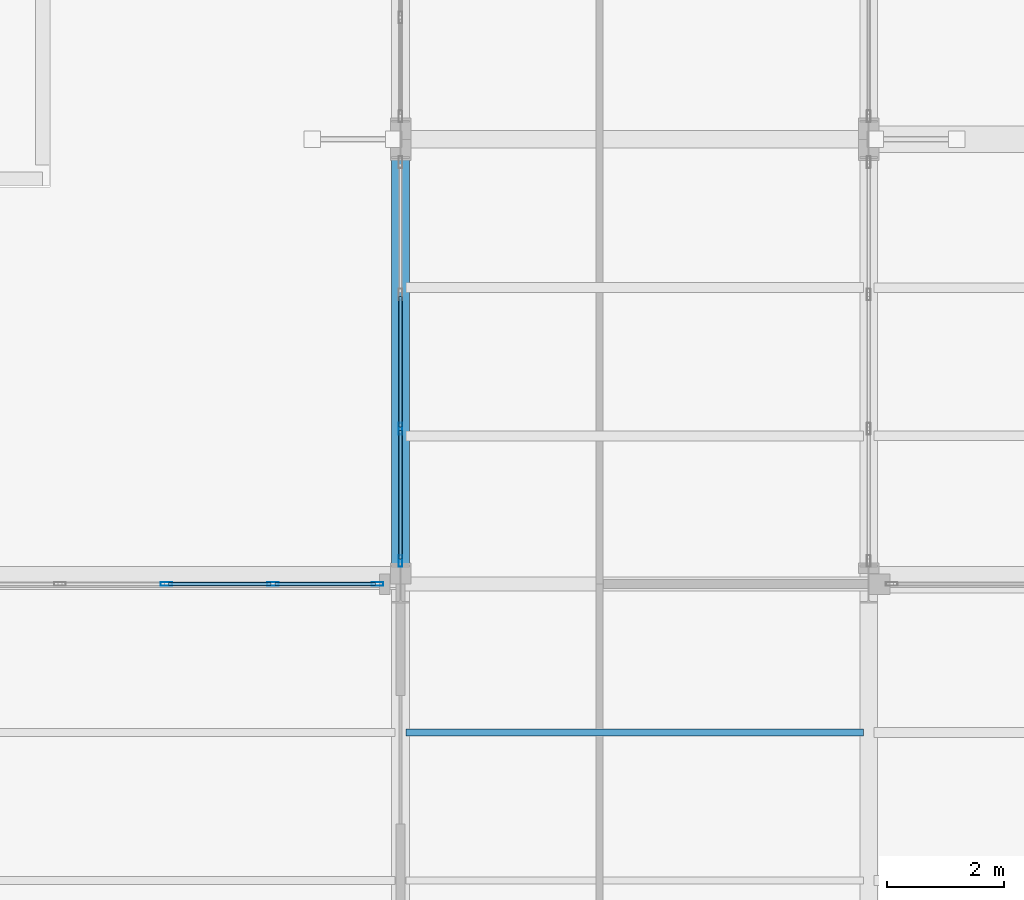
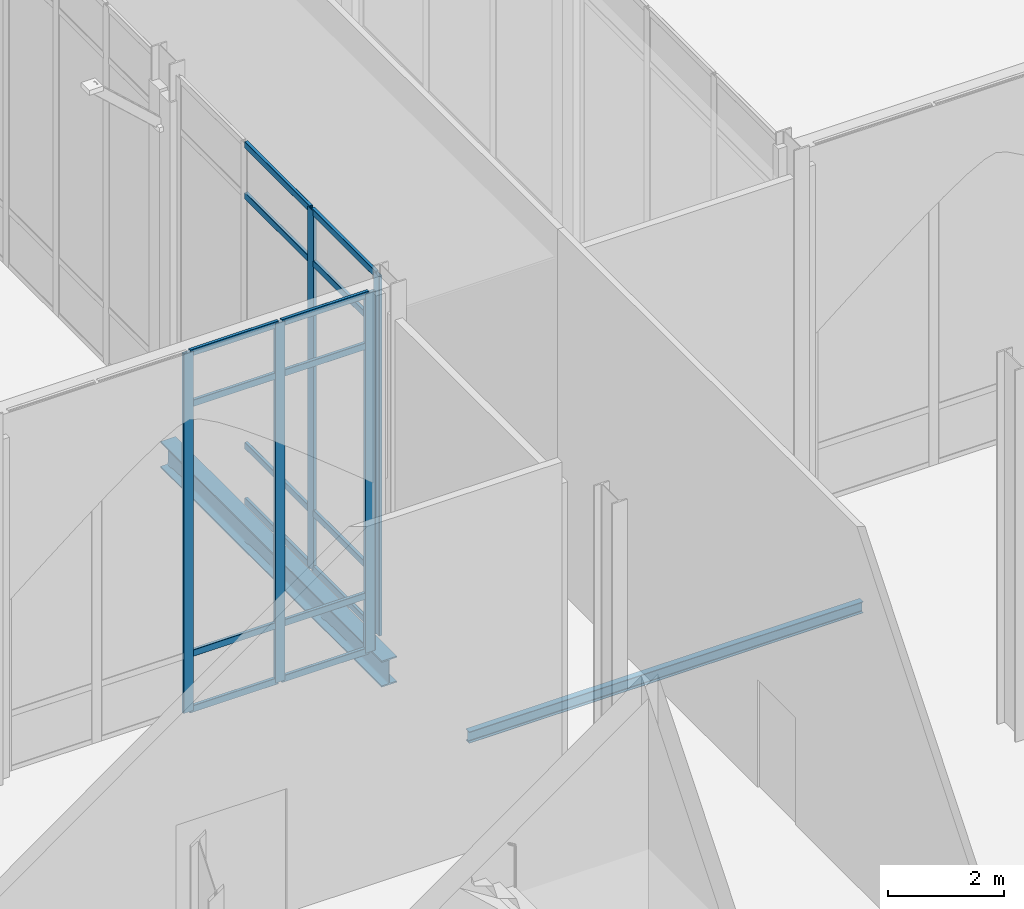
# One storey, part 32 of 176: 21 members, 2 beams, 2 elements without a shape of their own.
"""IFC4 building model written with IfcOpenShell, lengths in metres."""

import ifcopenshell
import ifcopenshell.guid

model = None  # the IFC model being written
_history = None  # IfcOwnerHistory: only IFC2X3 demands one
_inside = {}  # id of a spatial element -> (the spatial element, [elements in it])
_under = {}  # id of a project, library or spatial element -> (it, [spatial elements below it])
_declared = {}  # id of a project -> (the project, [libraries it declares])
_typed = {}  # id of a type object -> (the type object, [elements of that type])
_made_of = {}  # id of a material, layer set ... -> (it, [elements and type objects made of it])


def new_model(schema):
    """Start an empty IFC model of exactly this schema.

    Asked for "IFC4X3", IfcOpenShell would pick the latest addendum, in which some entities
    have other attributes; the version numbers below select the first issue.
    IFC2X3 requires an IfcOwnerHistory on every rooted entity: one is made here for all.
    """
    global model, _history
    if schema == "IFC4X3":
        model = ifcopenshell.file(schema_version=(4, 3, 0, 0))
    else:
        model = ifcopenshell.file(schema=schema)
    _inside.clear()
    _under.clear()
    _declared.clear()
    _typed.clear()
    _made_of.clear()
    _history = None
    if model.schema == "IFC2X3":
        org = make("IfcOrganization", Name="unknown")
        user = make(
            "IfcPersonAndOrganization",
            ThePerson=make("IfcPerson", FamilyName="unknown"),
            TheOrganization=org,
        )
        app = make(
            "IfcApplication",
            ApplicationDeveloper=org,
            Version="unknown",
            ApplicationFullName="unknown",
            ApplicationIdentifier="unknown",
        )
        _history = make(
            "IfcOwnerHistory",
            OwningUser=user,
            OwningApplication=app,
            ChangeAction="ADDED",
            CreationDate=0,
        )
    return model


def make(cls, **values):
    """One entity of the class cls with the attributes given. An attribute that is None is left unset."""
    return model.create_entity(
        cls, **{name: value for name, value in values.items() if value is not None}
    )


def rooted(cls, **values):
    """An entity with a GlobalId (a new one), such as an element, a storey or a relation."""
    return make(cls, GlobalId=ifcopenshell.guid.new(), OwnerHistory=_history, **values)


def si_unit(unit_type, name, prefix=None):
    """IfcSIUnit, for example si_unit("LENGTHUNIT", "METRE", prefix="MILLI")."""
    return make("IfcSIUnit", UnitType=unit_type, Prefix=prefix, Name=name)


def assignment(units):
    """IfcUnitAssignment: the units of a project."""
    return None if units is None else make("IfcUnitAssignment", Units=units)


def point(xyz):
    """IfcCartesianPoint."""
    return None if xyz is None else make("IfcCartesianPoint", Coordinates=xyz)


def direction(xyz):
    """IfcDirection."""
    return None if xyz is None else make("IfcDirection", DirectionRatios=xyz)


def frame(location, z_axis=None, x_axis=None):
    """IfcAxis2Placement3D, a coordinate frame: its origin and axes. An axis left out is left unset."""
    return make(
        "IfcAxis2Placement3D",
        Location=point(location),
        Axis=direction(z_axis),
        RefDirection=direction(x_axis),
    )


def frame_2d(location, x_axis=None):
    """IfcAxis2Placement2D, a coordinate frame in the plane: its origin and x axis."""
    return make(
        "IfcAxis2Placement2D", Location=point(location), RefDirection=direction(x_axis)
    )


def origin():
    """The frame at (0, 0, 0) with its axes left unset."""
    return frame((0.0, 0.0, 0.0))


def origin_2d():
    """The frame at (0, 0) in the plane with its x axis left unset."""
    return frame_2d((0.0, 0.0))


def place(relative_to, where):
    """IfcLocalPlacement: puts the frame where relative to a parent placement (None: the world)."""
    return make(
        "IfcLocalPlacement", PlacementRelTo=relative_to, RelativePlacement=where
    )


def context(
    kind, dimensions, precision=None, world=None, true_north=None, identifier=None
):
    """IfcGeometricRepresentationContext, for example the 3D "Model" context."""
    return make(
        "IfcGeometricRepresentationContext",
        ContextIdentifier=identifier,
        ContextType=kind,
        CoordinateSpaceDimension=dimensions,
        Precision=precision,
        WorldCoordinateSystem=world,
        TrueNorth=true_north,
    )


def subcontext(parent, identifier, kind, view, scale=None):
    """IfcGeometricRepresentationSubContext, for example "Body" below "Model"."""
    return make(
        "IfcGeometricRepresentationSubContext",
        ContextIdentifier=identifier,
        ContextType=kind,
        ParentContext=parent,
        TargetScale=scale,
        TargetView=view,
    )


def project(units=None, contexts=None):
    """IfcProject with its units and contexts."""
    return rooted(
        "IfcProject",
        Name="project",
        RepresentationContexts=contexts,
        UnitsInContext=assignment(units),
    )


def spatial(cls, under=None, at=None, **own):
    """A site, building, storey or space (cls), placed at a placement, below another one or the project."""
    s = rooted(cls, ObjectPlacement=at, **own)
    if under is not None:
        _under.setdefault(under.id(), (under, []))[1].append(s)
    return s


def profile(cls, at=None, kind="AREA", **sizes):
    """A parametric profile (cls). Its sizes go by their IFC names, for example OverallWidth=200.0."""
    return make(cls, ProfileType=kind, Position=at, **sizes)


def hollow_rectangle(**sizes):
    """IfcRectangleHollowProfileDef."""
    return profile("IfcRectangleHollowProfileDef", **sizes)


def i_section(**sizes):
    """IfcIShapeProfileDef."""
    return profile("IfcIShapeProfileDef", **sizes)


def extrude(swept, where, along, depth):
    """IfcExtrudedAreaSolid: the profile swept, set in the frame where, extruded along a direction by depth."""
    return make(
        "IfcExtrudedAreaSolid",
        SweptArea=swept,
        Position=where,
        ExtrudedDirection=direction(along),
        Depth=depth,
    )


def shape(context_of_items, identifier, shape_type, items):
    """IfcShapeRepresentation: the items that make up one representation, for example the "Body"."""
    return make(
        "IfcShapeRepresentation",
        ContextOfItems=context_of_items,
        RepresentationIdentifier=identifier,
        RepresentationType=shape_type,
        Items=items,
    )


def material(Name=None, Category=None):
    """IfcMaterial."""
    return make("IfcMaterial", Name=Name, Category=Category)


def layer(
    of_material, thickness, ventilated=None, Name=None, Category=None, Priority=None
):
    """IfcMaterialLayer: one layer of a wall or slab, of a material (None: an air gap)."""
    return make(
        "IfcMaterialLayer",
        Material=of_material,
        LayerThickness=thickness,
        IsVentilated=ventilated,
        Name=Name,
        Category=Category,
        Priority=Priority,
    )


def layer_set(layers, Name=None):
    """IfcMaterialLayerSet."""
    return make("IfcMaterialLayerSet", MaterialLayers=layers, LayerSetName=Name)


def material_profile(
    of_material, cross_section, Name=None, Category=None, Priority=None
):
    """IfcMaterialProfile: a cross section and its material."""
    return make(
        "IfcMaterialProfile",
        Name=Name,
        Material=of_material,
        Profile=cross_section,
        Priority=Priority,
        Category=Category,
    )


def profile_set(profiles, Name=None, composite=None):
    """IfcMaterialProfileSet."""
    return make(
        "IfcMaterialProfileSet",
        Name=Name,
        MaterialProfiles=profiles,
        CompositeProfile=composite,
    )


def made_of(thing, what):
    """Note that an element or type object is made of a material, layer set ...; save() writes the relation."""
    if what is not None:
        _made_of.setdefault(what.id(), (what, []))[1].append(thing)
    return thing


def type_object(cls, material=None, **own):
    """A type object (cls), such as IfcWallType, which elements share."""
    return made_of(rooted(cls, **own), material)


def element(
    cls,
    number,
    at=None,
    inside=None,
    cuts=None,
    type_object=None,
    material=None,
    context=None,
    identifier="Body",
    shape_type=None,
    held_by="IfcProductDefinitionShape",
    body=None,
    shapes=None,
    **own,
):
    """One element of the class cls, such as IfcWall. Its Tag is "e" and its number.

    at: its placement. inside: the storey or other place that contains it. cuts: it is an
    opening in that element (IfcRelVoidsElement). A single representation is given by context,
    identifier, shape_type and body (its items); several are given by shapes. held_by: the class
    of the entity that holds the representations. save() writes the other relations.
    """
    e = rooted(cls, Tag="e%d" % number, ObjectPlacement=at, **own)
    if body is not None:
        shapes = [shape(context, identifier, shape_type, body)]
    if shapes is not None:
        e.Representation = make(held_by, Representations=shapes)
    if inside is not None:
        _inside.setdefault(inside.id(), (inside, []))[1].append(e)
    if cuts is not None:
        rooted(
            "IfcRelVoidsElement", RelatingBuildingElement=cuts, RelatedOpeningElement=e
        )
    if type_object is not None:
        _typed.setdefault(type_object.id(), (type_object, []))[1].append(e)
    return made_of(e, material)


def aggregate(whole, parts):
    """IfcRelAggregates: a whole, such as a stair, and the parts it consists of."""
    return rooted("IfcRelAggregates", RelatingObject=whole, RelatedObjects=parts)


def save(model, path):
    """Write the relations noted so far, then the file.

    IfcRelAggregates (storeys below a building ...), IfcRelContainedInSpatialStructure (elements
    in a storey), IfcRelDefinesByType, IfcRelAssociatesMaterial and IfcRelDeclares: one each for
    every whole, place, type object, material and project.
    """
    for whole, parts in _under.values():
        aggregate(whole, parts)
    for where, things in _inside.values():
        rooted(
            "IfcRelContainedInSpatialStructure",
            RelatedElements=things,
            RelatingStructure=where,
        )
    for kind, things in _typed.values():
        rooted("IfcRelDefinesByType", RelatedObjects=things, RelatingType=kind)
    for what, things in _made_of.values():
        rooted("IfcRelAssociatesMaterial", RelatedObjects=things, RelatingMaterial=what)
    for by, libraries in _declared.values():
        rooted("IfcRelDeclares", RelatingContext=by, RelatedDefinitions=libraries)
    model.write(path)


model = new_model("IFC4")

# Units and contexts
model_context = context("Model", 3, precision=1e-05, world=origin(), true_north=direction((0.0, 1.0)))
body_context = subcontext(model_context, "Body", "Model", "MODEL_VIEW")
ifc_project = project(units=[si_unit("LENGTHUNIT", "METRE"), si_unit("AREAUNIT", "SQUARE_METRE"), si_unit("VOLUMEUNIT", "CUBIC_METRE"), si_unit("PLANEANGLEUNIT", "RADIAN"), si_unit("MASSUNIT", "GRAM", prefix="KILO")], contexts=[model_context])

# Site, building, storey
site_placement = place(None, origin())
site = spatial("IfcSite", under=ifc_project, at=site_placement, CompositionType="ELEMENT")
building_placement = place(site_placement, origin())
building = spatial("IfcBuilding", under=site, at=building_placement, Name="Vekula Escarpment Museum", CompositionType="ELEMENT")
storey_placement = place(building_placement, origin())
storey = spatial("IfcBuildingStorey", under=building, at=storey_placement, Name="L01", CompositionType="ELEMENT", Elevation=0.0)

# Beams
ifc_material_1 = material(Name="Steel S355", Category="steel")
ifc_material_profile_1 = material_profile(ifc_material_1, i_section(OverallWidth=0.300048828125, OverallDepth=0.550048828125, WebThickness=0.014892578125, FlangeThickness=0.029052734375, FilletRadius=0.027099609375, at=origin_2d()), Name="HEB 550")
ifc_profile_set_1 = profile_set([ifc_material_profile_1], Name="Steel S355")
beam_type_1 = type_object("IfcBeamType", Name="BM-GIRD-HEB550", PredefinedType="BEAM", material=ifc_profile_set_1)
beam_1_placement = place(storey_placement, frame((94.0, 15.199951171875, -0.574951171875), z_axis=(0.0, 1.0, 0.0), x_axis=(-1.0, 0.0, 0.0)))
element("IfcBeam", 1, at=beam_1_placement, inside=storey, type_object=beam_type_1, Name="Beam Y L01 0578", PredefinedType="BEAM", context=body_context, shape_type="SweptSolid", body=[
    extrude(i_section(OverallWidth=0.300048828125, OverallDepth=0.550048828125, WebThickness=0.014892578125, FlangeThickness=0.029052734375, FilletRadius=0.027099609375, at=origin_2d()), origin(), (0.0, 0.0, 1.0), 7.60009765625),
])
ifc_material_2 = material(Name="Steel S355", Category="steel")
ifc_material_profile_2 = material_profile(ifc_material_2, i_section(OverallWidth=0.1201171875, OverallDepth=0.239990234375, WebThickness=0.006103515625, FlangeThickness=0.009765625, FilletRadius=0.014892578125, at=origin_2d()), Name="IPE 240")
ifc_profile_set_2 = profile_set([ifc_material_profile_2], Name="Steel S355")
beam_type_2 = type_object("IfcBeamType", Name="BM-JST-IPE240", PredefinedType="JOIST", material=ifc_profile_set_2)
beam_2_placement = place(storey_placement, frame((94.090087890625, 12.666748046875, -0.419921875), z_axis=(1.0, 0.0, 0.0), x_axis=(0.0, 1.0, 0.0)))
element("IfcBeam", 2, at=beam_2_placement, inside=storey, type_object=beam_type_2, Name="Secondary Joist L01 0291", PredefinedType="JOIST", context=body_context, shape_type="SweptSolid", body=[
    extrude(i_section(OverallWidth=0.1201171875, OverallDepth=0.239990234375, WebThickness=0.006103515625, FlangeThickness=0.009765625, FilletRadius=0.014892578125, at=origin_2d()), origin(), (0.0, 0.0, 1.0), 7.81982421875),
])

# Curtain wall, members
ifc_material_3 = material(Name="Aluminium thermally broken framing", Category="aluminium")
ifc_layer_1 = layer(ifc_material_3, 0.169921875)
ifc_layer_set_1 = layer_set([ifc_layer_1], Name="Aluminium thermally broken framing")
curtain_wall_type_1 = type_object("IfcCurtainWallType", Name="CW-SYS-10", PredefinedType="NOTDEFINED", material=ifc_layer_set_1)
curtain_wall_1_placement = place(storey_placement, origin())
curtain_wall_1 = element("IfcCurtainWall", 3, at=curtain_wall_1_placement, inside=storey, type_object=curtain_wall_type_1, Name="Curtain Wall CW-L01-050", PredefinedType="NOTDEFINED")
ifc_material_4 = material(Name="Aluminium anodized mullion", Category="aluminium")
ifc_material_profile_3 = material_profile(ifc_material_4, hollow_rectangle(XDim=0.06494140625, YDim=0.199951171875, WallThickness=0.00390625, InnerFilletRadius=0.00390625, OuterFilletRadius=0.008056640625, at=origin_2d()), Name="ALU 200x65x4")
ifc_profile_set_3 = profile_set([ifc_material_profile_3], Name="Aluminium anodized mullion")
member_type_1 = type_object("IfcMemberType", Name="CW-MUL-200", PredefinedType="MULLION", material=ifc_profile_set_3)
member_1_placement = place(storey_placement, frame((94.0, 17.853271484375, 0.0), z_axis=(0.0, 0.0, 1.0), x_axis=(1.0, 0.0, 0.0)))
member_1 = element("IfcMember", 4, at=member_1_placement, type_object=member_type_1, Name="CW-10 mullion 3", PredefinedType="MULLION", context=body_context, shape_type="SweptSolid", body=[
    extrude(hollow_rectangle(XDim=0.06494140625, YDim=0.199951171875, WallThickness=0.00390625, InnerFilletRadius=0.00390625, OuterFilletRadius=0.008056640625, at=origin_2d()), origin(), (0.0, 0.0, 1.0), 7.5400390625),
])
member_2_placement = place(storey_placement, frame((94.0, 15.592529296875, 0.0), z_axis=(0.0, 0.0, 1.0), x_axis=(1.0, 0.0, 0.0)))
member_2 = element("IfcMember", 5, at=member_2_placement, type_object=member_type_1, Name="CW-10 mullion 4", PredefinedType="MULLION", context=body_context, shape_type="SweptSolid", body=[
    extrude(hollow_rectangle(XDim=0.06494140625, YDim=0.199951171875, WallThickness=0.00390625, InnerFilletRadius=0.00390625, OuterFilletRadius=0.008056640625, at=origin_2d()), origin(), (0.0, 0.0, 1.0), 7.5400390625),
])

ifc_material_5 = material(Name="Aluminium thermally broken framing", Category="aluminium")
ifc_layer_2 = layer(ifc_material_5, 0.159912109375)
ifc_layer_set_2 = layer_set([ifc_layer_2], Name="Aluminium thermally broken framing")
curtain_wall_type_2 = type_object("IfcCurtainWallType", Name="CW-SYS-01", PredefinedType="NOTDEFINED", material=ifc_layer_set_2)
curtain_wall_2_placement = place(storey_placement, origin())
curtain_wall_2 = element("IfcCurtainWall", 6, at=curtain_wall_2_placement, inside=storey, type_object=curtain_wall_type_2, Name="Curtain Wall CW-L01-051", PredefinedType="NOTDEFINED")
member_3_placement = place(storey_placement, frame((93.607421875, 15.199951171875, 0.0), z_axis=(0.0, 0.0, 1.0), x_axis=(0.0, -1.0, 0.0)))
member_3 = element("IfcMember", 7, at=member_3_placement, type_object=member_type_1, Name="CW-01 mullion 1", PredefinedType="MULLION", context=body_context, shape_type="SweptSolid", body=[
    extrude(hollow_rectangle(XDim=0.06494140625, YDim=0.199951171875, WallThickness=0.00390625, InnerFilletRadius=0.00390625, OuterFilletRadius=0.008056640625, at=origin_2d()), origin(), (0.0, 0.0, 1.0), 7.5400390625),
])
member_4_placement = place(storey_placement, frame((91.820068359375, 15.199951171875, 0.0), z_axis=(0.0, 0.0, 1.0), x_axis=(0.0, -1.0, 0.0)))
member_4 = element("IfcMember", 8, at=member_4_placement, type_object=member_type_1, Name="CW-01 mullion 2", PredefinedType="MULLION", context=body_context, shape_type="SweptSolid", body=[
    extrude(hollow_rectangle(XDim=0.06494140625, YDim=0.199951171875, WallThickness=0.00390625, InnerFilletRadius=0.00390625, OuterFilletRadius=0.008056640625, at=origin_2d()), origin(), (0.0, 0.0, 1.0), 7.5400390625),
])
member_5_placement = place(storey_placement, frame((90.0, 15.199951171875, 0.0), z_axis=(0.0, 0.0, 1.0), x_axis=(0.0, -1.0, 0.0)))
member_5 = element("IfcMember", 9, at=member_5_placement, type_object=member_type_1, Name="CW-01 mullion 3", PredefinedType="MULLION", context=body_context, shape_type="SweptSolid", body=[
    extrude(hollow_rectangle(XDim=0.06494140625, YDim=0.199951171875, WallThickness=0.00390625, InnerFilletRadius=0.00390625, OuterFilletRadius=0.008056640625, at=origin_2d()), origin(), (0.0, 0.0, 1.0), 7.5400390625),
])

# Member
ifc_material_6 = material(Name="Aluminium anodized transom", Category="aluminium")
ifc_material_profile_4 = material_profile(ifc_material_6, hollow_rectangle(XDim=0.06494140625, YDim=0.139892578125, WallThickness=0.00390625, InnerFilletRadius=0.00390625, OuterFilletRadius=0.008056640625, at=origin_2d()), Name="ALU 140x65x4")
ifc_profile_set_4 = profile_set([ifc_material_profile_4], Name="Aluminium anodized transom")
member_type_2 = type_object("IfcMemberType", Name="CW-TRN-140", PredefinedType="USERDEFINED", material=ifc_profile_set_4)
member_6_placement = place(storey_placement, frame((94.0, 20.1142578125, 0.032470703125), z_axis=(0.0, -1.0, 0.0), x_axis=(1.0, 0.0, 0.0)))
member_6 = element("IfcMember", 10, at=member_6_placement, type_object=member_type_2, Name="CW-10 transom 2.1", ObjectType="TRANSOM", PredefinedType="USERDEFINED", context=body_context, shape_type="SweptSolid", body=[
    extrude(hollow_rectangle(XDim=0.06494140625, YDim=0.139892578125, WallThickness=0.00390625, InnerFilletRadius=0.00390625, OuterFilletRadius=0.008056640625, at=origin_2d()), origin(), (0.0, 0.0, 1.0), 2.228515625),
])

member_7_placement = place(storey_placement, frame((94.0, 20.1142578125, 1.199951171875), z_axis=(0.0, -1.0, 0.0), x_axis=(1.0, 0.0, 0.0)))
member_7 = element("IfcMember", 11, at=member_7_placement, type_object=member_type_2, Name="CW-10 transom 2.2", ObjectType="TRANSOM", PredefinedType="USERDEFINED", context=body_context, shape_type="SweptSolid", body=[
    extrude(hollow_rectangle(XDim=0.06494140625, YDim=0.139892578125, WallThickness=0.00390625, InnerFilletRadius=0.00390625, OuterFilletRadius=0.008056640625, at=origin_2d()), origin(), (0.0, 0.0, 1.0), 2.228515625),
])

member_8_placement = place(storey_placement, frame((94.0, 20.1142578125, 6.43994140625), z_axis=(0.0, -1.0, 0.0), x_axis=(1.0, 0.0, 0.0)))
member_8 = element("IfcMember", 12, at=member_8_placement, type_object=member_type_2, Name="CW-10 transom 2.3", ObjectType="TRANSOM", PredefinedType="USERDEFINED", context=body_context, shape_type="SweptSolid", body=[
    extrude(hollow_rectangle(XDim=0.06494140625, YDim=0.139892578125, WallThickness=0.00390625, InnerFilletRadius=0.00390625, OuterFilletRadius=0.008056640625, at=origin_2d()), origin(), (0.0, 0.0, 1.0), 2.228515625),
])

member_9_placement = place(storey_placement, frame((94.0, 20.1142578125, 7.507568359375), z_axis=(0.0, -1.0, 0.0), x_axis=(1.0, 0.0, 0.0)))
member_9 = element("IfcMember", 13, at=member_9_placement, type_object=member_type_2, Name="CW-10 transom 2.4", ObjectType="TRANSOM", PredefinedType="USERDEFINED", context=body_context, shape_type="SweptSolid", body=[
    extrude(hollow_rectangle(XDim=0.06494140625, YDim=0.139892578125, WallThickness=0.00390625, InnerFilletRadius=0.00390625, OuterFilletRadius=0.008056640625, at=origin_2d()), origin(), (0.0, 0.0, 1.0), 2.228515625),
])

member_10_placement = place(storey_placement, frame((94.0, 17.82080078125, 0.032470703125), z_axis=(0.0, -1.0, 0.0), x_axis=(1.0, 0.0, 0.0)))
member_10 = element("IfcMember", 14, at=member_10_placement, type_object=member_type_2, Name="CW-10 transom 3.1", ObjectType="TRANSOM", PredefinedType="USERDEFINED", context=body_context, shape_type="SweptSolid", body=[
    extrude(hollow_rectangle(XDim=0.06494140625, YDim=0.139892578125, WallThickness=0.00390625, InnerFilletRadius=0.00390625, OuterFilletRadius=0.008056640625, at=origin_2d()), origin(), (0.0, 0.0, 1.0), 2.19580078125),
])

member_11_placement = place(storey_placement, frame((94.0, 17.82080078125, 1.199951171875), z_axis=(0.0, -1.0, 0.0), x_axis=(1.0, 0.0, 0.0)))
member_11 = element("IfcMember", 15, at=member_11_placement, type_object=member_type_2, Name="CW-10 transom 3.2", ObjectType="TRANSOM", PredefinedType="USERDEFINED", context=body_context, shape_type="SweptSolid", body=[
    extrude(hollow_rectangle(XDim=0.06494140625, YDim=0.139892578125, WallThickness=0.00390625, InnerFilletRadius=0.00390625, OuterFilletRadius=0.008056640625, at=origin_2d()), origin(), (0.0, 0.0, 1.0), 2.19580078125),
])

member_12_placement = place(storey_placement, frame((94.0, 17.82080078125, 6.43994140625), z_axis=(0.0, -1.0, 0.0), x_axis=(1.0, 0.0, 0.0)))
member_12 = element("IfcMember", 16, at=member_12_placement, type_object=member_type_2, Name="CW-10 transom 3.3", ObjectType="TRANSOM", PredefinedType="USERDEFINED", context=body_context, shape_type="SweptSolid", body=[
    extrude(hollow_rectangle(XDim=0.06494140625, YDim=0.139892578125, WallThickness=0.00390625, InnerFilletRadius=0.00390625, OuterFilletRadius=0.008056640625, at=origin_2d()), origin(), (0.0, 0.0, 1.0), 2.19580078125),
])

member_13_placement = place(storey_placement, frame((94.0, 17.82080078125, 7.507568359375), z_axis=(0.0, -1.0, 0.0), x_axis=(1.0, 0.0, 0.0)))
member_13 = element("IfcMember", 17, at=member_13_placement, type_object=member_type_2, Name="CW-10 transom 3.4", ObjectType="TRANSOM", PredefinedType="USERDEFINED", context=body_context, shape_type="SweptSolid", body=[
    extrude(hollow_rectangle(XDim=0.06494140625, YDim=0.139892578125, WallThickness=0.00390625, InnerFilletRadius=0.00390625, OuterFilletRadius=0.008056640625, at=origin_2d()), origin(), (0.0, 0.0, 1.0), 2.19580078125),
])

aggregate(curtain_wall_1, [member_1, member_2, member_6, member_7, member_8, member_9, member_10, member_11, member_12, member_13])

member_14_placement = place(storey_placement, frame((93.574951171875, 15.199951171875, 0.032470703125), z_axis=(-1.0, 0.0, 0.0), x_axis=(0.0, -1.0, 0.0)))
member_14 = element("IfcMember", 18, at=member_14_placement, type_object=member_type_2, Name="CW-01 transom 1.1", ObjectType="TRANSOM", PredefinedType="USERDEFINED", context=body_context, shape_type="SweptSolid", body=[
    extrude(hollow_rectangle(XDim=0.06494140625, YDim=0.139892578125, WallThickness=0.00390625, InnerFilletRadius=0.00390625, OuterFilletRadius=0.008056640625, at=origin_2d()), origin(), (0.0, 0.0, 1.0), 1.722412109375),
])

member_15_placement = place(storey_placement, frame((93.574951171875, 15.199951171875, 1.199951171875), z_axis=(-1.0, 0.0, 0.0), x_axis=(0.0, -1.0, 0.0)))
member_15 = element("IfcMember", 19, at=member_15_placement, type_object=member_type_2, Name="CW-01 transom 1.2", ObjectType="TRANSOM", PredefinedType="USERDEFINED", context=body_context, shape_type="SweptSolid", body=[
    extrude(hollow_rectangle(XDim=0.06494140625, YDim=0.139892578125, WallThickness=0.00390625, InnerFilletRadius=0.00390625, OuterFilletRadius=0.008056640625, at=origin_2d()), origin(), (0.0, 0.0, 1.0), 1.722412109375),
])

member_16_placement = place(storey_placement, frame((93.574951171875, 15.199951171875, 6.43994140625), z_axis=(-1.0, 0.0, 0.0), x_axis=(0.0, -1.0, 0.0)))
member_16 = element("IfcMember", 20, at=member_16_placement, type_object=member_type_2, Name="CW-01 transom 1.3", ObjectType="TRANSOM", PredefinedType="USERDEFINED", context=body_context, shape_type="SweptSolid", body=[
    extrude(hollow_rectangle(XDim=0.06494140625, YDim=0.139892578125, WallThickness=0.00390625, InnerFilletRadius=0.00390625, OuterFilletRadius=0.008056640625, at=origin_2d()), origin(), (0.0, 0.0, 1.0), 1.722412109375),
])

member_17_placement = place(storey_placement, frame((93.574951171875, 15.199951171875, 7.507568359375), z_axis=(-1.0, 0.0, 0.0), x_axis=(0.0, -1.0, 0.0)))
member_17 = element("IfcMember", 21, at=member_17_placement, type_object=member_type_2, Name="CW-01 transom 1.4", ObjectType="TRANSOM", PredefinedType="USERDEFINED", context=body_context, shape_type="SweptSolid", body=[
    extrude(hollow_rectangle(XDim=0.06494140625, YDim=0.139892578125, WallThickness=0.00390625, InnerFilletRadius=0.00390625, OuterFilletRadius=0.008056640625, at=origin_2d()), origin(), (0.0, 0.0, 1.0), 1.722412109375),
])

member_18_placement = place(storey_placement, frame((91.78759765625, 15.199951171875, 0.032470703125), z_axis=(-1.0, 0.0, 0.0), x_axis=(0.0, -1.0, 0.0)))
member_18 = element("IfcMember", 22, at=member_18_placement, type_object=member_type_2, Name="CW-01 transom 2.1", ObjectType="TRANSOM", PredefinedType="USERDEFINED", context=body_context, shape_type="SweptSolid", body=[
    extrude(hollow_rectangle(XDim=0.06494140625, YDim=0.139892578125, WallThickness=0.00390625, InnerFilletRadius=0.00390625, OuterFilletRadius=0.008056640625, at=origin_2d()), origin(), (0.0, 0.0, 1.0), 1.755126953125),
])

member_19_placement = place(storey_placement, frame((91.78759765625, 15.199951171875, 1.199951171875), z_axis=(-1.0, 0.0, 0.0), x_axis=(0.0, -1.0, 0.0)))
member_19 = element("IfcMember", 23, at=member_19_placement, type_object=member_type_2, Name="CW-01 transom 2.2", ObjectType="TRANSOM", PredefinedType="USERDEFINED", context=body_context, shape_type="SweptSolid", body=[
    extrude(hollow_rectangle(XDim=0.06494140625, YDim=0.139892578125, WallThickness=0.00390625, InnerFilletRadius=0.00390625, OuterFilletRadius=0.008056640625, at=origin_2d()), origin(), (0.0, 0.0, 1.0), 1.755126953125),
])

member_20_placement = place(storey_placement, frame((91.78759765625, 15.199951171875, 6.43994140625), z_axis=(-1.0, 0.0, 0.0), x_axis=(0.0, -1.0, 0.0)))
member_20 = element("IfcMember", 24, at=member_20_placement, type_object=member_type_2, Name="CW-01 transom 2.3", ObjectType="TRANSOM", PredefinedType="USERDEFINED", context=body_context, shape_type="SweptSolid", body=[
    extrude(hollow_rectangle(XDim=0.06494140625, YDim=0.139892578125, WallThickness=0.00390625, InnerFilletRadius=0.00390625, OuterFilletRadius=0.008056640625, at=origin_2d()), origin(), (0.0, 0.0, 1.0), 1.755126953125),
])

member_21_placement = place(storey_placement, frame((91.78759765625, 15.199951171875, 7.507568359375), z_axis=(-1.0, 0.0, 0.0), x_axis=(0.0, -1.0, 0.0)))
member_21 = element("IfcMember", 25, at=member_21_placement, type_object=member_type_2, Name="CW-01 transom 2.4", ObjectType="TRANSOM", PredefinedType="USERDEFINED", context=body_context, shape_type="SweptSolid", body=[
    extrude(hollow_rectangle(XDim=0.06494140625, YDim=0.139892578125, WallThickness=0.00390625, InnerFilletRadius=0.00390625, OuterFilletRadius=0.008056640625, at=origin_2d()), origin(), (0.0, 0.0, 1.0), 1.755126953125),
])

aggregate(curtain_wall_2, [member_3, member_4, member_5, member_14, member_15, member_16, member_17, member_18, member_19, member_20, member_21])

save(model, "model.ifc")
